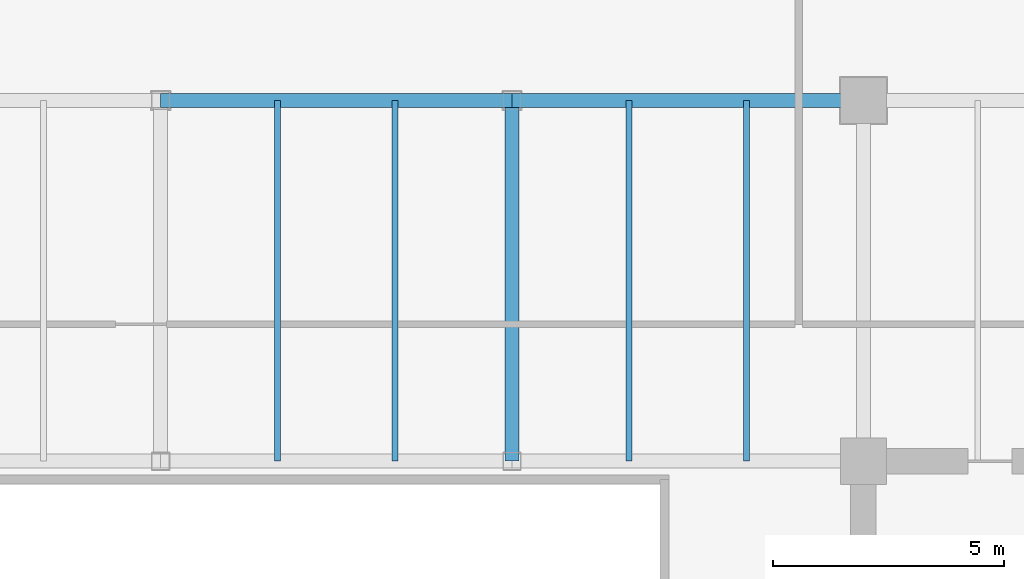
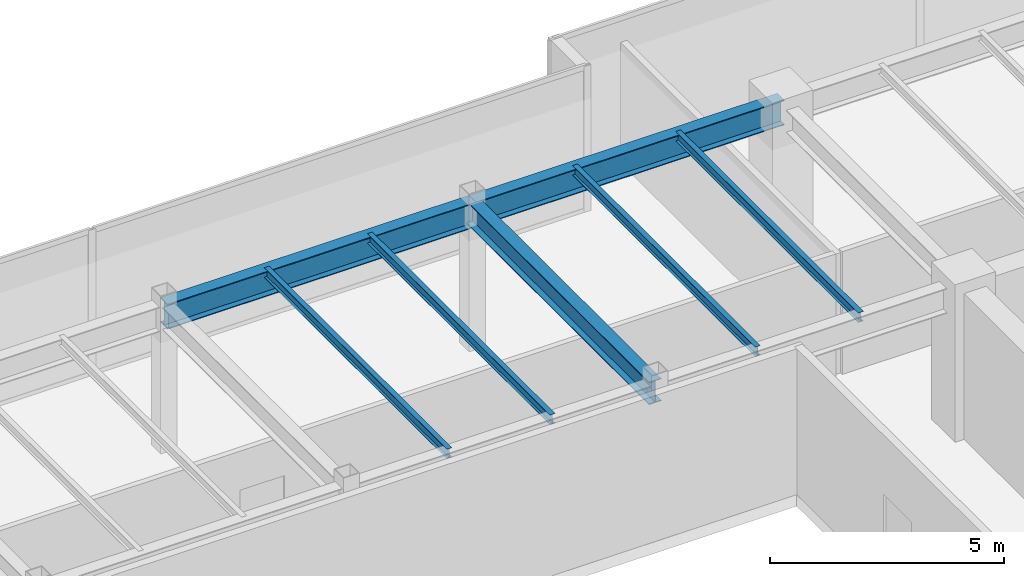
# One storey, part 18 of 36: 7 beams.
"""IFC4 building model written with IfcOpenShell, lengths in metres."""

from ifc_helpers import new_model, si_unit, direction, frame, origin, origin_2d, place, context, subcontext, project, spatial, i_section, extrude, source, transform, mapped, material, material_profile, profile_set, type_object, type_shapes, element, save


model = new_model("IFC4")

# Units and contexts
model_context = context("Model", 3, precision=1e-05, world=origin(), true_north=direction((0.0, 1.0)))
body_context = subcontext(model_context, "Body", "Model", "MODEL_VIEW")
ifc_project = project(units=[si_unit("LENGTHUNIT", "METRE"), si_unit("AREAUNIT", "SQUARE_METRE"), si_unit("VOLUMEUNIT", "CUBIC_METRE"), si_unit("PLANEANGLEUNIT", "RADIAN"), si_unit("MASSUNIT", "GRAM", prefix="KILO")], contexts=[model_context])

# Site, building, storey
site_placement = place(None, origin())
site = spatial("IfcSite", under=ifc_project, at=site_placement, CompositionType="ELEMENT")
building_placement = place(site_placement, origin())
building = spatial("IfcBuilding", under=site, at=building_placement, Name="Haelvirn Gate Laboratories", CompositionType="ELEMENT")
storey_placement = place(building_placement, frame((0.0, 0.0, 262.89990234375)))
storey = spatial("IfcBuildingStorey", under=building, at=storey_placement, Name="L63", CompositionType="ELEMENT", Elevation=262.89990234375)

# Beams
ifc_material = material(Name="Steel SM355", Category="steel")
ifc_material_profile_1 = material_profile(ifc_material, i_section(OverallWidth=0.300048828125, OverallDepth=0.587890625, WebThickness=0.011962890625, FlangeThickness=0.02001953125, at=origin_2d()), Name="H-588x300x12x20")
ifc_profile_set_1 = profile_set([ifc_material_profile_1], Name="Steel SM355")
beam_type_1 = type_object("IfcBeamType", Name="BM-G-588", PredefinedType="BEAM", material=ifc_profile_set_1)
shared_shape_1 = source(origin(), body_context, "Body", "SweptSolid", [
    extrude(i_section(OverallWidth=0.300048828125, OverallDepth=0.587890625, WebThickness=0.011962890625, FlangeThickness=0.02001953125, at=origin_2d()), origin(), (0.0, 0.0, 1.0), 7.800048828125),
])
type_shapes(beam_type_1, [shared_shape_1])
beam_placement = place(storey_placement, frame((45.0, 33.800048828125, 3.506103515625), z_axis=(0.0, 1.0, 0.0), x_axis=(-1.0, 0.0, 0.0)))
element("IfcBeam", 1, at=beam_placement, inside=storey, type_object=beam_type_1, Name="L63 Frame Girder X45.0 (33.8-41.6)", PredefinedType="BEAM", context=body_context, shape_type="MappedRepresentation", body=[
    mapped(shared_shape_1, transform((0.0, 0.0, 0.0), scale=1.0)),
])
ifc_material_profile_2 = material_profile(ifc_material, i_section(OverallWidth=0.300048828125, OverallDepth=0.64990234375, WebThickness=0.012939453125, FlangeThickness=0.02197265625, at=origin_2d()), Name="H-650x300x13x22")
ifc_profile_set_2 = profile_set([ifc_material_profile_2], Name="Steel SM355")
beam_type_2 = type_object("IfcBeamType", Name="BM-G-650", PredefinedType="BEAM", material=ifc_profile_set_2)
shared_shape_2 = source(origin(), body_context, "Body", "SweptSolid", [
    extrude(i_section(OverallWidth=0.300048828125, OverallDepth=0.64990234375, WebThickness=0.012939453125, FlangeThickness=0.02197265625, at=origin_2d()), origin(), (0.0, 0.0, 1.0), 7.60009765625),
])
type_shapes(beam_type_2, [shared_shape_2])
for number, where, z_axis, x_axis, name in (
    (2, (37.39990234375, 41.60009765625, 3.47509765625), (1.0, 0.0, 0.0), (0.0, 1.0, 0.0), "L63 Primary Girder Y41.6 (37.4-45.0)"),
    (3, (45.0, 41.60009765625, 3.47509765625), (1.0, 0.0, 0.0), (0.0, 1.0, 0.0), "L63 Primary Girder Y41.6 (45.0-52.6)"),
):
    element("IfcBeam", number, at=place(storey_placement, frame(where, z_axis=z_axis, x_axis=x_axis)), inside=storey, type_object=beam_type_2, Name=name, PredefinedType="BEAM", context=body_context, shape_type="MappedRepresentation", body=[
        mapped(shared_shape_2, transform((0.0, 0.0, 0.0), scale=1.0)),
    ])
ifc_material_profile_3 = material_profile(ifc_material, i_section(OverallWidth=0.125, OverallDepth=0.25, WebThickness=0.006103515625, FlangeThickness=0.009033203125, at=origin_2d()), Name="H-250x125x6x9")
ifc_profile_set_3 = profile_set([ifc_material_profile_3], Name="Steel SM355")
beam_type_3 = type_object("IfcBeamType", Name="BM-J-250", PredefinedType="JOIST", material=ifc_profile_set_3)
shared_shape_3 = source(origin(), body_context, "Body", "SweptSolid", [
    extrude(i_section(OverallWidth=0.125, OverallDepth=0.25, WebThickness=0.006103515625, FlangeThickness=0.009033203125, at=origin_2d()), origin(), (0.0, 0.0, 1.0), 7.800048828125),
])
type_shapes(beam_type_3, [shared_shape_3])
for number, where, z_axis, x_axis, name in (
    (4, (39.929931640625, 33.800048828125, 3.675048828125), (0.0, 1.0, 0.0), (-1.0, 0.0, 0.0), "L63 Composite Lab Joist North X39.93"),
    (5, (42.469970703125, 33.800048828125, 3.675048828125), (0.0, 1.0, 0.0), (-1.0, 0.0, 0.0), "L63 Composite Lab Joist North X42.47"),
    (6, (47.530029296875, 33.800048828125, 3.675048828125), (0.0, 1.0, 0.0), (-1.0, 0.0, 0.0), "L63 Composite Lab Joist North X47.53"),
    (7, (50.070068359375, 33.800048828125, 3.675048828125), (0.0, 1.0, 0.0), (-1.0, 0.0, 0.0), "L63 Composite Lab Joist North X50.07"),
):
    element("IfcBeam", number, at=place(storey_placement, frame(where, z_axis=z_axis, x_axis=x_axis)), inside=storey, type_object=beam_type_3, Name=name, PredefinedType="JOIST", context=body_context, shape_type="MappedRepresentation", body=[
        mapped(shared_shape_3, transform((0.0, 0.0, 0.0), scale=1.0)),
    ])

save(model, "model.ifc")
